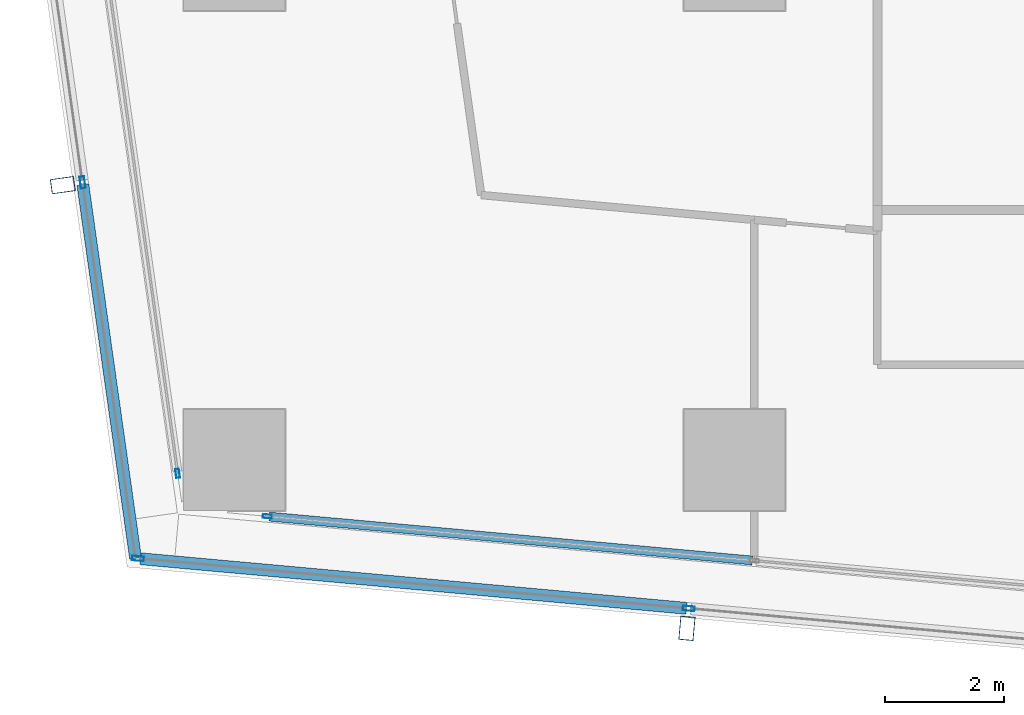
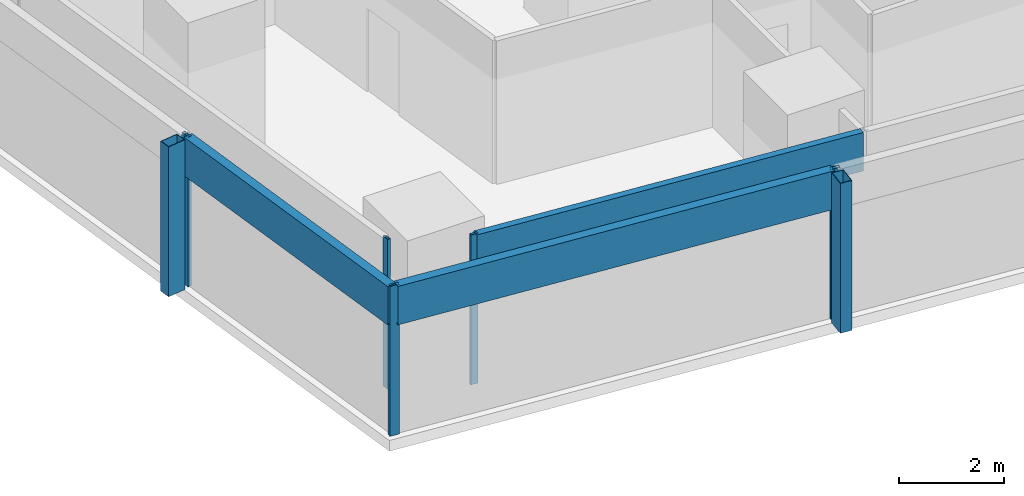
# One storey, part 2 of 40: 10 members, 4 elements without a shape of their own.
"""IFC4 building model written with IfcOpenShell, lengths in metres."""

import ifcopenshell
import ifcopenshell.guid

model = None  # the IFC model being written
_history = None  # IfcOwnerHistory: only IFC2X3 demands one
_inside = {}  # id of a spatial element -> (the spatial element, [elements in it])
_under = {}  # id of a project, library or spatial element -> (it, [spatial elements below it])
_declared = {}  # id of a project -> (the project, [libraries it declares])
_typed = {}  # id of a type object -> (the type object, [elements of that type])
_made_of = {}  # id of a material, layer set ... -> (it, [elements and type objects made of it])


def new_model(schema):
    """Start an empty IFC model of exactly this schema.

    Asked for "IFC4X3", IfcOpenShell would pick the latest addendum, in which some entities
    have other attributes; the version numbers below select the first issue.
    IFC2X3 requires an IfcOwnerHistory on every rooted entity: one is made here for all.
    """
    global model, _history
    if schema == "IFC4X3":
        model = ifcopenshell.file(schema_version=(4, 3, 0, 0))
    else:
        model = ifcopenshell.file(schema=schema)
    _inside.clear()
    _under.clear()
    _declared.clear()
    _typed.clear()
    _made_of.clear()
    _history = None
    if model.schema == "IFC2X3":
        org = make("IfcOrganization", Name="unknown")
        user = make(
            "IfcPersonAndOrganization",
            ThePerson=make("IfcPerson", FamilyName="unknown"),
            TheOrganization=org,
        )
        app = make(
            "IfcApplication",
            ApplicationDeveloper=org,
            Version="unknown",
            ApplicationFullName="unknown",
            ApplicationIdentifier="unknown",
        )
        _history = make(
            "IfcOwnerHistory",
            OwningUser=user,
            OwningApplication=app,
            ChangeAction="ADDED",
            CreationDate=0,
        )
    return model


def make(cls, **values):
    """One entity of the class cls with the attributes given. An attribute that is None is left unset."""
    return model.create_entity(
        cls, **{name: value for name, value in values.items() if value is not None}
    )


def rooted(cls, **values):
    """An entity with a GlobalId (a new one), such as an element, a storey or a relation."""
    return make(cls, GlobalId=ifcopenshell.guid.new(), OwnerHistory=_history, **values)


def si_unit(unit_type, name, prefix=None):
    """IfcSIUnit, for example si_unit("LENGTHUNIT", "METRE", prefix="MILLI")."""
    return make("IfcSIUnit", UnitType=unit_type, Prefix=prefix, Name=name)


def assignment(units):
    """IfcUnitAssignment: the units of a project."""
    return None if units is None else make("IfcUnitAssignment", Units=units)


def point(xyz):
    """IfcCartesianPoint."""
    return None if xyz is None else make("IfcCartesianPoint", Coordinates=xyz)


def direction(xyz):
    """IfcDirection."""
    return None if xyz is None else make("IfcDirection", DirectionRatios=xyz)


def frame(location, z_axis=None, x_axis=None):
    """IfcAxis2Placement3D, a coordinate frame: its origin and axes. An axis left out is left unset."""
    return make(
        "IfcAxis2Placement3D",
        Location=point(location),
        Axis=direction(z_axis),
        RefDirection=direction(x_axis),
    )


def frame_2d(location, x_axis=None):
    """IfcAxis2Placement2D, a coordinate frame in the plane: its origin and x axis."""
    return make(
        "IfcAxis2Placement2D", Location=point(location), RefDirection=direction(x_axis)
    )


def origin():
    """The frame at (0, 0, 0) with its axes left unset."""
    return frame((0.0, 0.0, 0.0))


def origin_2d():
    """The frame at (0, 0) in the plane with its x axis left unset."""
    return frame_2d((0.0, 0.0))


def place(relative_to, where):
    """IfcLocalPlacement: puts the frame where relative to a parent placement (None: the world)."""
    return make(
        "IfcLocalPlacement", PlacementRelTo=relative_to, RelativePlacement=where
    )


def context(
    kind, dimensions, precision=None, world=None, true_north=None, identifier=None
):
    """IfcGeometricRepresentationContext, for example the 3D "Model" context."""
    return make(
        "IfcGeometricRepresentationContext",
        ContextIdentifier=identifier,
        ContextType=kind,
        CoordinateSpaceDimension=dimensions,
        Precision=precision,
        WorldCoordinateSystem=world,
        TrueNorth=true_north,
    )


def subcontext(parent, identifier, kind, view, scale=None):
    """IfcGeometricRepresentationSubContext, for example "Body" below "Model"."""
    return make(
        "IfcGeometricRepresentationSubContext",
        ContextIdentifier=identifier,
        ContextType=kind,
        ParentContext=parent,
        TargetScale=scale,
        TargetView=view,
    )


def project(units=None, contexts=None):
    """IfcProject with its units and contexts."""
    return rooted(
        "IfcProject",
        Name="project",
        RepresentationContexts=contexts,
        UnitsInContext=assignment(units),
    )


def spatial(cls, under=None, at=None, **own):
    """A site, building, storey or space (cls), placed at a placement, below another one or the project."""
    s = rooted(cls, ObjectPlacement=at, **own)
    if under is not None:
        _under.setdefault(under.id(), (under, []))[1].append(s)
    return s


def profile(cls, at=None, kind="AREA", **sizes):
    """A parametric profile (cls). Its sizes go by their IFC names, for example OverallWidth=200.0."""
    return make(cls, ProfileType=kind, Position=at, **sizes)


def hollow_rectangle(**sizes):
    """IfcRectangleHollowProfileDef."""
    return profile("IfcRectangleHollowProfileDef", **sizes)


def extrude(swept, where, along, depth):
    """IfcExtrudedAreaSolid: the profile swept, set in the frame where, extruded along a direction by depth."""
    return make(
        "IfcExtrudedAreaSolid",
        SweptArea=swept,
        Position=where,
        ExtrudedDirection=direction(along),
        Depth=depth,
    )


def shape(context_of_items, identifier, shape_type, items):
    """IfcShapeRepresentation: the items that make up one representation, for example the "Body"."""
    return make(
        "IfcShapeRepresentation",
        ContextOfItems=context_of_items,
        RepresentationIdentifier=identifier,
        RepresentationType=shape_type,
        Items=items,
    )


def material(Name=None, Category=None):
    """IfcMaterial."""
    return make("IfcMaterial", Name=Name, Category=Category)


def material_profile(
    of_material, cross_section, Name=None, Category=None, Priority=None
):
    """IfcMaterialProfile: a cross section and its material."""
    return make(
        "IfcMaterialProfile",
        Name=Name,
        Material=of_material,
        Profile=cross_section,
        Priority=Priority,
        Category=Category,
    )


def profile_set(profiles, Name=None, composite=None):
    """IfcMaterialProfileSet."""
    return make(
        "IfcMaterialProfileSet",
        Name=Name,
        MaterialProfiles=profiles,
        CompositeProfile=composite,
    )


def made_of(thing, what):
    """Note that an element or type object is made of a material, layer set ...; save() writes the relation."""
    if what is not None:
        _made_of.setdefault(what.id(), (what, []))[1].append(thing)
    return thing


def type_object(cls, material=None, **own):
    """A type object (cls), such as IfcWallType, which elements share."""
    return made_of(rooted(cls, **own), material)


def element(
    cls,
    number,
    at=None,
    inside=None,
    cuts=None,
    type_object=None,
    material=None,
    context=None,
    identifier="Body",
    shape_type=None,
    held_by="IfcProductDefinitionShape",
    body=None,
    shapes=None,
    **own,
):
    """One element of the class cls, such as IfcWall. Its Tag is "e" and its number.

    at: its placement. inside: the storey or other place that contains it. cuts: it is an
    opening in that element (IfcRelVoidsElement). A single representation is given by context,
    identifier, shape_type and body (its items); several are given by shapes. held_by: the class
    of the entity that holds the representations. save() writes the other relations.
    """
    e = rooted(cls, Tag="e%d" % number, ObjectPlacement=at, **own)
    if body is not None:
        shapes = [shape(context, identifier, shape_type, body)]
    if shapes is not None:
        e.Representation = make(held_by, Representations=shapes)
    if inside is not None:
        _inside.setdefault(inside.id(), (inside, []))[1].append(e)
    if cuts is not None:
        rooted(
            "IfcRelVoidsElement", RelatingBuildingElement=cuts, RelatedOpeningElement=e
        )
    if type_object is not None:
        _typed.setdefault(type_object.id(), (type_object, []))[1].append(e)
    return made_of(e, material)


def aggregate(whole, parts):
    """IfcRelAggregates: a whole, such as a stair, and the parts it consists of."""
    return rooted("IfcRelAggregates", RelatingObject=whole, RelatedObjects=parts)


def save(model, path):
    """Write the relations noted so far, then the file.

    IfcRelAggregates (storeys below a building ...), IfcRelContainedInSpatialStructure (elements
    in a storey), IfcRelDefinesByType, IfcRelAssociatesMaterial and IfcRelDeclares: one each for
    every whole, place, type object, material and project.
    """
    for whole, parts in _under.values():
        aggregate(whole, parts)
    for where, things in _inside.values():
        rooted(
            "IfcRelContainedInSpatialStructure",
            RelatedElements=things,
            RelatingStructure=where,
        )
    for kind, things in _typed.values():
        rooted("IfcRelDefinesByType", RelatedObjects=things, RelatingType=kind)
    for what, things in _made_of.values():
        rooted("IfcRelAssociatesMaterial", RelatedObjects=things, RelatingMaterial=what)
    for by, libraries in _declared.values():
        rooted("IfcRelDeclares", RelatingContext=by, RelatedDefinitions=libraries)
    model.write(path)


model = new_model("IFC4")

# Units and contexts
model_context = context("Model", 3, precision=1e-05, world=origin(), true_north=direction((0.0, 1.0)))
body_context = subcontext(model_context, "Body", "Model", "MODEL_VIEW")
ifc_project = project(units=[si_unit("LENGTHUNIT", "METRE"), si_unit("AREAUNIT", "SQUARE_METRE"), si_unit("VOLUMEUNIT", "CUBIC_METRE"), si_unit("PLANEANGLEUNIT", "RADIAN"), si_unit("MASSUNIT", "GRAM", prefix="KILO")], contexts=[model_context])

# Site, building, storey
site_placement = place(None, origin())
site = spatial("IfcSite", under=ifc_project, at=site_placement, CompositionType="ELEMENT")
building_placement = place(site_placement, origin())
building = spatial("IfcBuilding", under=site, at=building_placement, Name="Rekha Terrace Tower", CompositionType="ELEMENT")
storey_placement = place(building_placement, frame((0.0, 0.0, 140.300048828125)))
storey = spatial("IfcBuildingStorey", under=building, at=storey_placement, Name="L35", CompositionType="ELEMENT", Elevation=140.300048828125)

# Curtain wall, member
ifc_material_1 = material(Name="Aluminium framing", Category="aluminium")
curtain_wall_type_1 = type_object("IfcCurtainWallType", Name="CW2 double skin outer glazing", PredefinedType="USERDEFINED", material=ifc_material_1)
curtain_wall_1_placement = place(storey_placement, origin())
curtain_wall_1 = element("IfcCurtainWall", 1, at=curtain_wall_1_placement, inside=storey, type_object=curtain_wall_type_1, Name="CW2 double skin outer glazing", ObjectType="DOUBLE SKIN OUTER GLAZING", PredefinedType="USERDEFINED")
ifc_material_2 = material(Name="Steel S355 with fluorocarbon finish", Category="steel")
ifc_material_profile_1 = material_profile(ifc_material_2, hollow_rectangle(XDim=0.25, YDim=0.39990234375, WallThickness=0.012451171875, at=origin_2d()), Name="RHS400x250x12.5")
ifc_profile_set_1 = profile_set([ifc_material_profile_1], Name="Steel S355 with fluorocarbon finish")
member_type_1 = type_object("IfcMemberType", Name="BL1 facade blade RHS 400 x 250", PredefinedType="USERDEFINED", material=ifc_profile_set_1)
member_1_placement = place(storey_placement, frame((16.002197265625, 13.970458984375, 0.0), z_axis=(0.0, 0.0, 1.0), x_axis=(0.995901938317, -0.090439644273, 0.0)))
member_1 = element("IfcMember", 2, at=member_1_placement, type_object=member_type_1, Name="Facade blade", ObjectType="FACADE BLADE", PredefinedType="USERDEFINED", context=body_context, shape_type="SweptSolid", body=[
    extrude(hollow_rectangle(XDim=0.25, YDim=0.39990234375, WallThickness=0.012451171875, at=origin_2d()), origin(), (0.0, 0.0, 1.0), 3.5),
])

curtain_wall_2_placement = place(storey_placement, origin())
curtain_wall_2 = element("IfcCurtainWall", 3, at=curtain_wall_2_placement, inside=storey, type_object=curtain_wall_type_1, Name="CW2 double skin outer glazing", ObjectType="DOUBLE SKIN OUTER GLAZING", PredefinedType="USERDEFINED")
member_2_placement = place(storey_placement, frame((5.51904296875, 21.41455078125, 0.0), z_axis=(0.0, 0.0, 1.0), x_axis=(0.139596532461, -0.990208467003, 0.0)))
member_2 = element("IfcMember", 4, at=member_2_placement, type_object=member_type_1, Name="Facade blade", ObjectType="FACADE BLADE", PredefinedType="USERDEFINED", context=body_context, shape_type="SweptSolid", body=[
    extrude(hollow_rectangle(XDim=0.25, YDim=0.39990234375, WallThickness=0.012451171875, at=origin_2d()), origin(), (0.0, 0.0, 1.0), 3.5),
])

curtain_wall_type_2 = type_object("IfcCurtainWallType", Name="CW1 double skin inner glazing", PredefinedType="USERDEFINED", material=ifc_material_1)
curtain_wall_3_placement = place(storey_placement, origin())
curtain_wall_3 = element("IfcCurtainWall", 5, at=curtain_wall_3_placement, inside=storey, type_object=curtain_wall_type_2, Name="CW1 double skin inner glazing", ObjectType="DOUBLE SKIN INNER GLAZING", PredefinedType="USERDEFINED")
ifc_material_3 = material(Name="Aluminium mullion section", Category="aluminium")
ifc_material_profile_2 = material_profile(ifc_material_3, hollow_rectangle(XDim=0.06494140625, YDim=0.14990234375, WallThickness=0.00390625, at=origin_2d()), Name="AL RHS 65x150")
ifc_profile_set_2 = profile_set([ifc_material_profile_2], Name="Aluminium mullion section")
member_type_2 = type_object("IfcMemberType", Name="CW1 mullion RHS 65 x 150", PredefinedType="MULLION", material=ifc_profile_set_2)
member_3_placement = place(storey_placement, frame((8.953369140625, 15.8505859375, 0.0), z_axis=(0.0, 0.0, 1.0), x_axis=(0.090439811381, 0.995901923142, 0.0)))
member_3 = element("IfcMember", 6, at=member_3_placement, type_object=member_type_2, Name="CW1 mullion 1", PredefinedType="MULLION", context=body_context, shape_type="SweptSolid", body=[
    extrude(hollow_rectangle(XDim=0.06494140625, YDim=0.14990234375, WallThickness=0.00390625, at=origin_2d()), origin(), (0.0, 0.0, 1.0), 3.5),
])

curtain_wall_4_placement = place(storey_placement, origin())
curtain_wall_4 = element("IfcCurtainWall", 7, at=curtain_wall_4_placement, inside=storey, type_object=curtain_wall_type_2, Name="CW1 double skin inner glazing", ObjectType="DOUBLE SKIN INNER GLAZING", PredefinedType="USERDEFINED")
member_4_placement = place(storey_placement, frame((7.448486328125, 16.573974609375, 0.0), z_axis=(0.0, 0.0, 1.0), x_axis=(0.990208394312, 0.139597048082, 0.0)))
member_4 = element("IfcMember", 8, at=member_4_placement, type_object=member_type_2, Name="CW1 mullion 2", PredefinedType="MULLION", context=body_context, shape_type="SweptSolid", body=[
    extrude(hollow_rectangle(XDim=0.06494140625, YDim=0.14990234375, WallThickness=0.00390625, at=origin_2d()), origin(), (0.0, 0.0, 1.0), 3.5),
])
aggregate(curtain_wall_4, [member_4])

# Member
ifc_material_4 = material(Name="Insulated aluminium spandrel box", Category="aluminium")
ifc_material_profile_3 = material_profile(ifc_material_4, hollow_rectangle(XDim=0.14990234375, YDim=0.89990234375, WallThickness=0.0029296875, at=origin_2d()), Name="AL SPANDREL BOX 150x900")
ifc_profile_set_3 = profile_set([ifc_material_profile_3], Name="Insulated aluminium spandrel box")
member_type_3 = type_object("IfcMemberType", Name="CW1 spandrel transom 150 x 900", PredefinedType="USERDEFINED", material=ifc_profile_set_3)
member_5_placement = place(storey_placement, frame((8.98583984375, 15.84765625, 3.050048828125), z_axis=(0.995901551249, -0.090443906483, 0.0), x_axis=(0.090443906483, 0.995901551249, 0.0)))
member_5 = element("IfcMember", 9, at=member_5_placement, type_object=member_type_3, Name="CW1 spandrel transom 1", ObjectType="TRANSOM", PredefinedType="USERDEFINED", context=body_context, shape_type="SweptSolid", body=[
    extrude(hollow_rectangle(XDim=0.14990234375, YDim=0.89990234375, WallThickness=0.0029296875, at=origin_2d()), origin(), (0.0, 0.0, 1.0), 8.1494140625),
])

aggregate(curtain_wall_3, [member_3, member_5])

ifc_material_profile_4 = material_profile(ifc_material_3, hollow_rectangle(XDim=0.080078125, YDim=0.199951171875, WallThickness=0.00390625, at=origin_2d()), Name="AL RHS 80x200")
ifc_profile_set_4 = profile_set([ifc_material_profile_4], Name="Aluminium mullion section")
member_type_4 = type_object("IfcMemberType", Name="CW2 mullion RHS 80 x 200", PredefinedType="MULLION", material=ifc_profile_set_4)
member_6_placement = place(storey_placement, frame((6.780517578125, 15.144287109375, 0.0), z_axis=(0.0, 0.0, 1.0), x_axis=(0.090439811433, 0.995901923137, 0.0)))
member_6 = element("IfcMember", 10, at=member_6_placement, type_object=member_type_4, Name="CW2 mullion 1", PredefinedType="MULLION", context=body_context, shape_type="SweptSolid", body=[
    extrude(hollow_rectangle(XDim=0.080078125, YDim=0.199951171875, WallThickness=0.00390625, at=origin_2d()), origin(), (0.0, 0.0, 1.0), 3.5),
])

member_7_placement = place(storey_placement, frame((16.032470703125, 14.30419921875, 0.0), z_axis=(0.0, 0.0, 1.0), x_axis=(0.090439811433, 0.995901923137, 0.0)))
member_7 = element("IfcMember", 11, at=member_7_placement, type_object=member_type_4, Name="CW2 mullion 2", PredefinedType="MULLION", context=body_context, shape_type="SweptSolid", body=[
    extrude(hollow_rectangle(XDim=0.080078125, YDim=0.199951171875, WallThickness=0.00390625, at=origin_2d()), origin(), (0.0, 0.0, 1.0), 3.5),
])

member_8_placement = place(storey_placement, frame((5.8505859375, 21.46142578125, 0.0), z_axis=(0.0, 0.0, 1.0), x_axis=(0.990208394312, 0.139597048082, 0.0)))
member_8 = element("IfcMember", 12, at=member_8_placement, type_object=member_type_4, Name="CW2 mullion 2", PredefinedType="MULLION", context=body_context, shape_type="SweptSolid", body=[
    extrude(hollow_rectangle(XDim=0.080078125, YDim=0.199951171875, WallThickness=0.00390625, at=origin_2d()), origin(), (0.0, 0.0, 1.0), 3.5),
])

ifc_material_profile_5 = material_profile(ifc_material_4, hollow_rectangle(XDim=0.199951171875, YDim=0.89990234375, WallThickness=0.0029296875, at=origin_2d()), Name="AL SPANDREL BOX 200x900")
ifc_profile_set_5 = profile_set([ifc_material_profile_5], Name="Insulated aluminium spandrel box")
member_type_5 = type_object("IfcMemberType", Name="CW2 spandrel transom 200 x 900", PredefinedType="USERDEFINED", material=ifc_profile_set_5)
member_9_placement = place(storey_placement, frame((6.8203125, 15.140625, 3.050048828125), z_axis=(0.995901458883, -0.090444923548, 0.0), x_axis=(0.090444923548, 0.995901458883, 0.0)))
member_9 = element("IfcMember", 13, at=member_9_placement, type_object=member_type_5, Name="CW2 spandrel transom 1", ObjectType="TRANSOM", PredefinedType="USERDEFINED", context=body_context, shape_type="SweptSolid", body=[
    extrude(hollow_rectangle(XDim=0.199951171875, YDim=0.89990234375, WallThickness=0.0029296875, at=origin_2d()), origin(), (0.0, 0.0, 1.0), 9.210205078125),
])

aggregate(curtain_wall_1, [member_6, member_7, member_9, member_1])

member_10_placement = place(storey_placement, frame((5.856201171875, 21.421875, 3.050048828125), z_axis=(0.139603155616, -0.990207533269, 0.0), x_axis=(0.990207533269, 0.139603155616, 0.0)))
member_10 = element("IfcMember", 14, at=member_10_placement, type_object=member_type_5, Name="CW2 spandrel transom 2", ObjectType="TRANSOM", PredefinedType="USERDEFINED", context=body_context, shape_type="SweptSolid", body=[
    extrude(hollow_rectangle(XDim=0.199951171875, YDim=0.89990234375, WallThickness=0.0029296875, at=origin_2d()), origin(), (0.0, 0.0, 1.0), 6.3359375),
])

aggregate(curtain_wall_2, [member_8, member_10, member_2])

save(model, "model.ifc")
